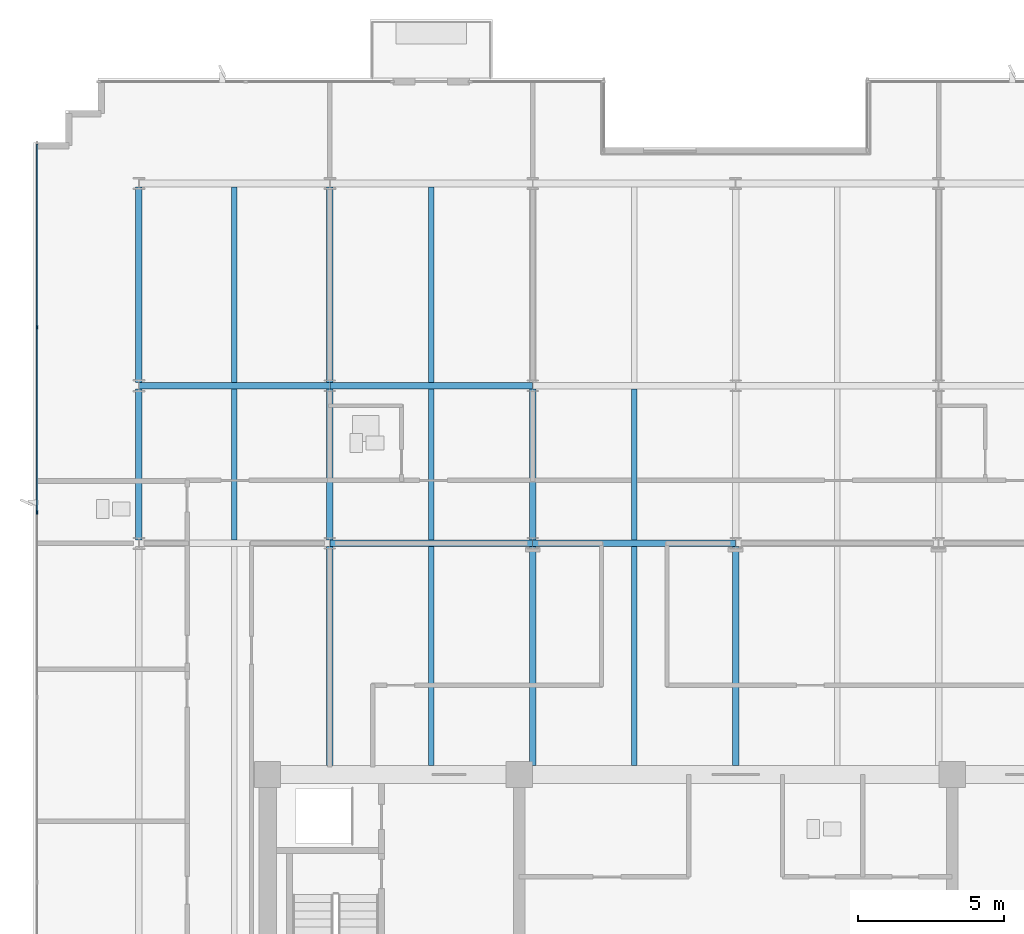
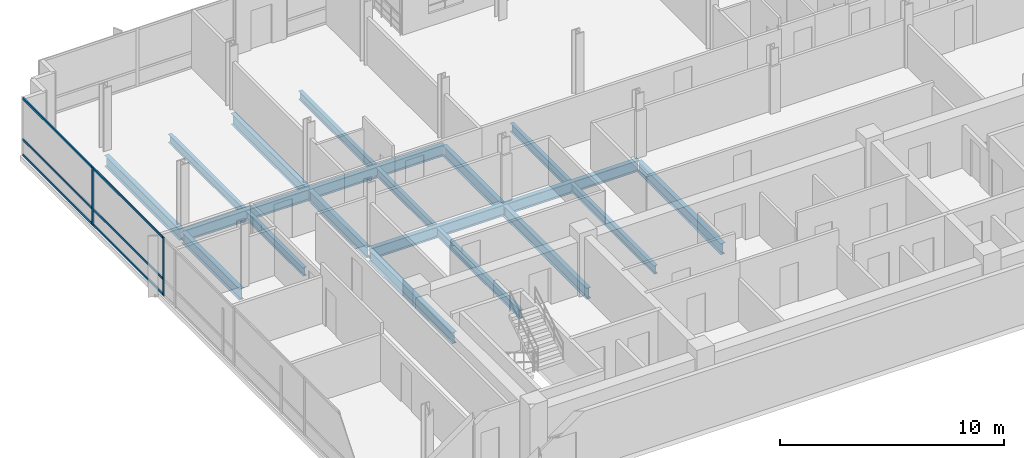
# One storey, part 4 of 17: 19 beams, 8 members, 1 element without a shape of its own.
"""IFC4 building model written with IfcOpenShell, lengths in metres."""

from ifc_helpers import new_model, si_unit, direction, frame, origin, origin_2d, place, context, subcontext, project, spatial, rectangle, i_section, extrude, material, material_profile, profile_set, type_object, element, aggregate, save


model = new_model("IFC4")

# Units and contexts
model_context = context("Model", 3, precision=1e-05, world=origin(), true_north=direction((0.0, 1.0)))
body_context = subcontext(model_context, "Body", "Model", "MODEL_VIEW")
ifc_project = project(units=[si_unit("LENGTHUNIT", "METRE"), si_unit("AREAUNIT", "SQUARE_METRE"), si_unit("VOLUMEUNIT", "CUBIC_METRE"), si_unit("PLANEANGLEUNIT", "RADIAN"), si_unit("MASSUNIT", "GRAM", prefix="KILO")], contexts=[model_context])

# Site, building, storey
site_placement = place(None, origin())
site = spatial("IfcSite", under=ifc_project, at=site_placement, CompositionType="ELEMENT")
building_placement = place(site_placement, origin())
building = spatial("IfcBuilding", under=site, at=building_placement, Name="Solmavex Isthmus Hotel", CompositionType="ELEMENT")
storey_placement = place(building_placement, frame((0.0, 0.0, 269.550048828125)))
storey = spatial("IfcBuildingStorey", under=building, at=storey_placement, Name="L73", CompositionType="ELEMENT", Elevation=269.550048828125)

# Beams
ifc_material_1 = material(Name="Steel ASTM A992 Grade 50", Category="steel")
ifc_material_profile_1 = material_profile(ifc_material_1, i_section(OverallWidth=0.1904296875, OverallDepth=0.456787109375, WebThickness=0.009033203125, FlangeThickness=0.014404296875, FilletRadius=0.0126953125, at=origin_2d()), Name="W18X50")
ifc_profile_set_1 = profile_set([ifc_material_profile_1], Name="Steel ASTM A992 Grade 50")
beam_type_1 = type_object("IfcBeamType", Name="BM-BJ-W18X50", PredefinedType="JOIST", material=ifc_profile_set_1)
beam_1_placement = place(storey_placement, frame((-17.135986328125, 5.513916015625, -0.488525390625), z_axis=(0.0, 1.0, 0.0), x_axis=(-1.0, 0.0, 0.0)))
element("IfcBeam", 1, at=beam_1_placement, inside=storey, type_object=beam_type_1, Name="Secondary Floor Joist L73-J02", PredefinedType="JOIST", context=body_context, shape_type="SweptSolid", body=[
    extrude(i_section(OverallWidth=0.1904296875, OverallDepth=0.456787109375, WebThickness=0.009033203125, FlangeThickness=0.014404296875, FilletRadius=0.0126953125, at=origin_2d()), origin(), (0.0, 0.0, 1.0), 5.16015625),
])
beam_2_placement = place(storey_placement, frame((-17.135986328125, 10.90185546875, -0.488525390625), z_axis=(0.0, 1.0, 0.0), x_axis=(-1.0, 0.0, 0.0)))
element("IfcBeam", 2, at=beam_2_placement, inside=storey, type_object=beam_type_1, Name="Secondary Floor Joist L73-J03", PredefinedType="JOIST", context=body_context, shape_type="SweptSolid", body=[
    extrude(i_section(OverallWidth=0.1904296875, OverallDepth=0.456787109375, WebThickness=0.009033203125, FlangeThickness=0.014404296875, FilletRadius=0.0126953125, at=origin_2d()), origin(), (0.0, 0.0, 1.0), 6.682861328125),
])
beam_3_placement = place(storey_placement, frame((-10.404052734375, -2.199951171875, -0.488525390625), z_axis=(0.0, 1.0, 0.0), x_axis=(-1.0, 0.0, 0.0)))
element("IfcBeam", 3, at=beam_3_placement, inside=storey, type_object=beam_type_1, Name="Secondary Floor Joist L73-J04", PredefinedType="JOIST", context=body_context, shape_type="SweptSolid", body=[
    extrude(i_section(OverallWidth=0.1904296875, OverallDepth=0.456787109375, WebThickness=0.009033203125, FlangeThickness=0.014404296875, FilletRadius=0.0126953125, at=origin_2d()), origin(), (0.0, 0.0, 1.0), 7.486083984375),
])
beam_4_placement = place(storey_placement, frame((-10.404052734375, 5.513916015625, -0.488525390625), z_axis=(0.0, 1.0, 0.0), x_axis=(-1.0, 0.0, 0.0)))
element("IfcBeam", 4, at=beam_4_placement, inside=storey, type_object=beam_type_1, Name="Secondary Floor Joist L73-J05", PredefinedType="JOIST", context=body_context, shape_type="SweptSolid", body=[
    extrude(i_section(OverallWidth=0.1904296875, OverallDepth=0.456787109375, WebThickness=0.009033203125, FlangeThickness=0.014404296875, FilletRadius=0.0126953125, at=origin_2d()), origin(), (0.0, 0.0, 1.0), 5.16015625),
])
beam_5_placement = place(storey_placement, frame((-10.404052734375, 10.90185546875, -0.488525390625), z_axis=(0.0, 1.0, 0.0), x_axis=(-1.0, 0.0, 0.0)))
element("IfcBeam", 5, at=beam_5_placement, inside=storey, type_object=beam_type_1, Name="Secondary Floor Joist L73-J06", PredefinedType="JOIST", context=body_context, shape_type="SweptSolid", body=[
    extrude(i_section(OverallWidth=0.1904296875, OverallDepth=0.456787109375, WebThickness=0.009033203125, FlangeThickness=0.014404296875, FilletRadius=0.0126953125, at=origin_2d()), origin(), (0.0, 0.0, 1.0), 6.682861328125),
])
beam_6_placement = place(storey_placement, frame((-3.468017578125, -2.199951171875, -0.488525390625), z_axis=(0.0, 1.0, 0.0), x_axis=(-1.0, 0.0, 0.0)))
element("IfcBeam", 6, at=beam_6_placement, inside=storey, type_object=beam_type_1, Name="Secondary Floor Joist L73-J07", PredefinedType="JOIST", context=body_context, shape_type="SweptSolid", body=[
    extrude(i_section(OverallWidth=0.1904296875, OverallDepth=0.456787109375, WebThickness=0.009033203125, FlangeThickness=0.014404296875, FilletRadius=0.0126953125, at=origin_2d()), origin(), (0.0, 0.0, 1.0), 7.486083984375),
])
beam_7_placement = place(storey_placement, frame((-3.468017578125, 5.513916015625, -0.488525390625), z_axis=(0.0, 1.0, 0.0), x_axis=(-1.0, 0.0, 0.0)))
element("IfcBeam", 7, at=beam_7_placement, inside=storey, type_object=beam_type_1, Name="Secondary Floor Joist L73-J08", PredefinedType="JOIST", context=body_context, shape_type="SweptSolid", body=[
    extrude(i_section(OverallWidth=0.1904296875, OverallDepth=0.456787109375, WebThickness=0.009033203125, FlangeThickness=0.014404296875, FilletRadius=0.0126953125, at=origin_2d()), origin(), (0.0, 0.0, 1.0), 5.16015625),
])
ifc_material_profile_2 = material_profile(ifc_material_1, i_section(OverallWidth=0.227783203125, OverallDepth=0.602783203125, WebThickness=0.010498046875, FlangeThickness=0.014892578125, FilletRadius=0.01513671875, at=origin_2d()), Name="W24X68")
ifc_profile_set_2 = profile_set([ifc_material_profile_2], Name="Steel ASTM A992 Grade 50")
beam_type_2 = type_object("IfcBeamType", Name="BM-BM-W24X68", PredefinedType="BEAM", material=ifc_profile_set_2)
for number, where, z_axis, x_axis, name in (
    (8, (-13.8720703125, 5.39990234375, -0.561279296875), (1.0, 0.0, 0.0), (0.0, 1.0, 0.0), "Floor Girder L73-UG04"),
    (9, (-6.93603515625, 5.39990234375, -0.561279296875), (1.0, 0.0, 0.0), (0.0, 1.0, 0.0), "Floor Girder L73-UG05"),
):
    element("IfcBeam", number, at=place(storey_placement, frame(where, z_axis=z_axis, x_axis=x_axis)), inside=storey, type_object=beam_type_2, Name=name, PredefinedType="BEAM", context=body_context, shape_type="SweptSolid", body=[
        extrude(i_section(OverallWidth=0.227783203125, OverallDepth=0.602783203125, WebThickness=0.010498046875, FlangeThickness=0.014892578125, FilletRadius=0.01513671875, at=origin_2d()), origin(), (0.0, 0.0, 1.0), 6.93603515625),
    ])
beam_8_placement = place(storey_placement, frame((-20.39990234375, 10.7880859375, -0.561279296875), z_axis=(1.0, 0.0, 0.0), x_axis=(0.0, 1.0, 0.0)))
element("IfcBeam", 10, at=beam_8_placement, inside=storey, type_object=beam_type_2, Name="Floor Girder L73-UG09", PredefinedType="BEAM", context=body_context, shape_type="SweptSolid", body=[
    extrude(i_section(OverallWidth=0.227783203125, OverallDepth=0.602783203125, WebThickness=0.010498046875, FlangeThickness=0.014892578125, FilletRadius=0.01513671875, at=origin_2d()), origin(), (0.0, 0.0, 1.0), 6.52783203125),
])
beam_9_placement = place(storey_placement, frame((-13.8720703125, 10.7880859375, -0.561279296875), z_axis=(1.0, 0.0, 0.0), x_axis=(0.0, 1.0, 0.0)))
element("IfcBeam", 11, at=beam_9_placement, inside=storey, type_object=beam_type_2, Name="Floor Girder L73-UG10", PredefinedType="BEAM", context=body_context, shape_type="SweptSolid", body=[
    extrude(i_section(OverallWidth=0.227783203125, OverallDepth=0.602783203125, WebThickness=0.010498046875, FlangeThickness=0.014892578125, FilletRadius=0.01513671875, at=origin_2d()), origin(), (0.0, 0.0, 1.0), 6.93603515625),
])
beam_10_placement = place(storey_placement, frame((-13.8720703125, -2.199951171875, -0.561279296875), z_axis=(0.0, 1.0, 0.0), x_axis=(-1.0, 0.0, 0.0)))
element("IfcBeam", 12, at=beam_10_placement, inside=storey, type_object=beam_type_2, Name="Floor Beam L73-VG24", PredefinedType="BEAM", context=body_context, shape_type="SweptSolid", body=[
    extrude(i_section(OverallWidth=0.227783203125, OverallDepth=0.602783203125, WebThickness=0.010498046875, FlangeThickness=0.014892578125, FilletRadius=0.01513671875, at=origin_2d()), origin(), (0.0, 0.0, 1.0), 7.486083984375),
])
beam_11_placement = place(storey_placement, frame((-13.8720703125, 5.513916015625, -0.561279296875), z_axis=(0.0, 1.0, 0.0), x_axis=(-1.0, 0.0, 0.0)))
element("IfcBeam", 13, at=beam_11_placement, inside=storey, type_object=beam_type_2, Name="Floor Beam L73-VG25", PredefinedType="BEAM", context=body_context, shape_type="SweptSolid", body=[
    extrude(i_section(OverallWidth=0.227783203125, OverallDepth=0.602783203125, WebThickness=0.010498046875, FlangeThickness=0.014892578125, FilletRadius=0.01513671875, at=origin_2d()), origin(), (0.0, 0.0, 1.0), 5.16015625),
])
beam_12_placement = place(storey_placement, frame((-13.8720703125, 10.90185546875, -0.561279296875), z_axis=(0.0, 1.0, 0.0), x_axis=(-1.0, 0.0, 0.0)))
element("IfcBeam", 14, at=beam_12_placement, inside=storey, type_object=beam_type_2, Name="Floor Beam L73-VG26", PredefinedType="BEAM", context=body_context, shape_type="SweptSolid", body=[
    extrude(i_section(OverallWidth=0.227783203125, OverallDepth=0.602783203125, WebThickness=0.010498046875, FlangeThickness=0.014892578125, FilletRadius=0.01513671875, at=origin_2d()), origin(), (0.0, 0.0, 1.0), 6.682861328125),
])
beam_13_placement = place(storey_placement, frame((-6.93603515625, -2.199951171875, -0.561279296875), z_axis=(0.0, 1.0, 0.0), x_axis=(-1.0, 0.0, 0.0)))
element("IfcBeam", 15, at=beam_13_placement, inside=storey, type_object=beam_type_2, Name="Floor Beam L73-VG27", PredefinedType="BEAM", context=body_context, shape_type="SweptSolid", body=[
    extrude(i_section(OverallWidth=0.227783203125, OverallDepth=0.602783203125, WebThickness=0.010498046875, FlangeThickness=0.014892578125, FilletRadius=0.01513671875, at=origin_2d()), origin(), (0.0, 0.0, 1.0), 7.486083984375),
])
beam_14_placement = place(storey_placement, frame((-6.93603515625, 5.513916015625, -0.561279296875), z_axis=(0.0, 1.0, 0.0), x_axis=(-1.0, 0.0, 0.0)))
element("IfcBeam", 16, at=beam_14_placement, inside=storey, type_object=beam_type_2, Name="Floor Beam L73-VG28", PredefinedType="BEAM", context=body_context, shape_type="SweptSolid", body=[
    extrude(i_section(OverallWidth=0.227783203125, OverallDepth=0.602783203125, WebThickness=0.010498046875, FlangeThickness=0.014892578125, FilletRadius=0.01513671875, at=origin_2d()), origin(), (0.0, 0.0, 1.0), 5.16015625),
])
beam_15_placement = place(storey_placement, frame((0.0, -2.199951171875, -0.561279296875), z_axis=(0.0, 1.0, 0.0), x_axis=(-1.0, 0.0, 0.0)))
element("IfcBeam", 17, at=beam_15_placement, inside=storey, type_object=beam_type_2, Name="Floor Beam L73-VG30", PredefinedType="BEAM", context=body_context, shape_type="SweptSolid", body=[
    extrude(i_section(OverallWidth=0.227783203125, OverallDepth=0.602783203125, WebThickness=0.010498046875, FlangeThickness=0.014892578125, FilletRadius=0.01513671875, at=origin_2d()), origin(), (0.0, 0.0, 1.0), 7.486083984375),
])
ifc_material_profile_3 = material_profile(ifc_material_1, i_section(OverallWidth=0.230224609375, OverallDepth=0.617431640625, WebThickness=0.01318359375, FlangeThickness=0.022216796875, FilletRadius=0.01513671875, at=origin_2d()), Name="W24X94")
ifc_profile_set_3 = profile_set([ifc_material_profile_3], Name="Steel ASTM A992 Grade 50")
beam_type_3 = type_object("IfcBeamType", Name="BM-SP-W24X94", PredefinedType="SPANDREL", material=ifc_profile_set_3)
beam_16_placement = place(storey_placement, frame((-20.39990234375, 5.513916015625, -0.56884765625), z_axis=(0.0, 1.0, 0.0), x_axis=(-1.0, 0.0, 0.0)))
element("IfcBeam", 18, at=beam_16_placement, inside=storey, type_object=beam_type_3, Name="Floor Beam L73-VG22", PredefinedType="SPANDREL", context=body_context, shape_type="SweptSolid", body=[
    extrude(i_section(OverallWidth=0.230224609375, OverallDepth=0.617431640625, WebThickness=0.01318359375, FlangeThickness=0.022216796875, FilletRadius=0.01513671875, at=origin_2d()), origin(), (0.0, 0.0, 1.0), 5.16015625),
])
beam_17_placement = place(storey_placement, frame((-20.39990234375, 10.90185546875, -0.56884765625), z_axis=(0.0, 1.0, 0.0), x_axis=(-1.0, 0.0, 0.0)))
element("IfcBeam", 19, at=beam_17_placement, inside=storey, type_object=beam_type_3, Name="Floor Beam L73-VG23", PredefinedType="SPANDREL", context=body_context, shape_type="SweptSolid", body=[
    extrude(i_section(OverallWidth=0.230224609375, OverallDepth=0.617431640625, WebThickness=0.01318359375, FlangeThickness=0.022216796875, FilletRadius=0.01513671875, at=origin_2d()), origin(), (0.0, 0.0, 1.0), 6.682861328125),
])

# Curtain wall, members
ifc_material_2 = material(Name="Aluminium alloy 6063-T6", Category="aluminium")
curtain_wall_type = type_object("IfcCurtainWallType", Name="CW-SYS-06", PredefinedType="NOTDEFINED", material=ifc_material_2)
curtain_wall_placement = place(storey_placement, origin())
curtain_wall = element("IfcCurtainWall", 20, at=curtain_wall_placement, inside=storey, type_object=curtain_wall_type, Name="Stick Curtain Wall CWL-L73-W1", PredefinedType="NOTDEFINED")
ifc_material_profile_4 = material_profile(ifc_material_2, rectangle(XDim=0.06005859375, YDim=0.139892578125, at=origin_2d()), Name="CWM-60X140")
ifc_profile_set_4 = profile_set([ifc_material_profile_4], Name="Aluminium alloy 6063-T6")
member_type_1 = type_object("IfcMemberType", Name="CW-SYS-06-MUL", PredefinedType="MULLION", material=ifc_profile_set_4)
member_1_placement = place(storey_placement, frame((-23.8798828125, 6.4599609375, 0.0), z_axis=(0.0, 0.0, 1.0), x_axis=(-1.0, 0.0, 0.0)))
member_1 = element("IfcMember", 21, at=member_1_placement, type_object=member_type_1, Name="CW-06 mullion 4", PredefinedType="MULLION", context=body_context, shape_type="SweptSolid", body=[
    extrude(rectangle(XDim=0.06005859375, YDim=0.139892578125, at=origin_2d()), origin(), (0.0, 0.0, 1.0), 3.18994140625),
])
member_2_placement = place(storey_placement, frame((-23.8798828125, 12.780029296875, 0.0), z_axis=(0.0, 0.0, 1.0), x_axis=(-1.0, 0.0, 0.0)))
member_2 = element("IfcMember", 22, at=member_2_placement, type_object=member_type_1, Name="CW-06 mullion 5", PredefinedType="MULLION", context=body_context, shape_type="SweptSolid", body=[
    extrude(rectangle(XDim=0.06005859375, YDim=0.139892578125, at=origin_2d()), origin(), (0.0, 0.0, 1.0), 3.18994140625),
])
ifc_material_profile_5 = material_profile(ifc_material_2, rectangle(XDim=0.06005859375, YDim=0.114990234375, at=origin_2d()), Name="CWT-60X115")
ifc_profile_set_5 = profile_set([ifc_material_profile_5], Name="Aluminium alloy 6063-T6")
member_type_2 = type_object("IfcMemberType", Name="CW-SYS-06-TRN", PredefinedType="USERDEFINED", material=ifc_profile_set_5)
member_3_placement = place(storey_placement, frame((-23.8798828125, 6.489990234375, 0.057373046875), z_axis=(0.0, 1.0, 0.0), x_axis=(-1.0, 0.0, 0.0)))
member_3 = element("IfcMember", 23, at=member_3_placement, type_object=member_type_2, Name="CW-06 transom 4.1", ObjectType="TRANSOM", PredefinedType="USERDEFINED", context=body_context, shape_type="SweptSolid", body=[
    extrude(rectangle(XDim=0.06005859375, YDim=0.114990234375, at=origin_2d()), origin(), (0.0, 0.0, 1.0), 6.260009765625),
])
member_4_placement = place(storey_placement, frame((-23.8798828125, 6.489990234375, 0.89990234375), z_axis=(0.0, 1.0, 0.0), x_axis=(-1.0, 0.0, 0.0)))
member_4 = element("IfcMember", 24, at=member_4_placement, type_object=member_type_2, Name="CW-06 transom 4.2", ObjectType="TRANSOM", PredefinedType="USERDEFINED", context=body_context, shape_type="SweptSolid", body=[
    extrude(rectangle(XDim=0.06005859375, YDim=0.114990234375, at=origin_2d()), origin(), (0.0, 0.0, 1.0), 6.260009765625),
])
member_5_placement = place(storey_placement, frame((-23.8798828125, 6.489990234375, 3.132568359375), z_axis=(0.0, 1.0, 0.0), x_axis=(-1.0, 0.0, 0.0)))
member_5 = element("IfcMember", 25, at=member_5_placement, type_object=member_type_2, Name="CW-06 transom 4.3", ObjectType="TRANSOM", PredefinedType="USERDEFINED", context=body_context, shape_type="SweptSolid", body=[
    extrude(rectangle(XDim=0.06005859375, YDim=0.114990234375, at=origin_2d()), origin(), (0.0, 0.0, 1.0), 6.260009765625),
])
member_6_placement = place(storey_placement, frame((-23.8798828125, 12.81005859375, 0.057373046875), z_axis=(0.0, 1.0, 0.0), x_axis=(-1.0, 0.0, 0.0)))
member_6 = element("IfcMember", 26, at=member_6_placement, type_object=member_type_2, Name="CW-06 transom 5.1", ObjectType="TRANSOM", PredefinedType="USERDEFINED", context=body_context, shape_type="SweptSolid", body=[
    extrude(rectangle(XDim=0.06005859375, YDim=0.114990234375, at=origin_2d()), origin(), (0.0, 0.0, 1.0), 6.22998046875),
])
member_7_placement = place(storey_placement, frame((-23.8798828125, 12.81005859375, 0.89990234375), z_axis=(0.0, 1.0, 0.0), x_axis=(-1.0, 0.0, 0.0)))
member_7 = element("IfcMember", 27, at=member_7_placement, type_object=member_type_2, Name="CW-06 transom 5.2", ObjectType="TRANSOM", PredefinedType="USERDEFINED", context=body_context, shape_type="SweptSolid", body=[
    extrude(rectangle(XDim=0.06005859375, YDim=0.114990234375, at=origin_2d()), origin(), (0.0, 0.0, 1.0), 6.22998046875),
])
member_8_placement = place(storey_placement, frame((-23.8798828125, 12.81005859375, 3.132568359375), z_axis=(0.0, 1.0, 0.0), x_axis=(-1.0, 0.0, 0.0)))
member_8 = element("IfcMember", 28, at=member_8_placement, type_object=member_type_2, Name="CW-06 transom 5.3", ObjectType="TRANSOM", PredefinedType="USERDEFINED", context=body_context, shape_type="SweptSolid", body=[
    extrude(rectangle(XDim=0.06005859375, YDim=0.114990234375, at=origin_2d()), origin(), (0.0, 0.0, 1.0), 6.22998046875),
])
aggregate(curtain_wall, [member_1, member_2, member_3, member_4, member_5, member_6, member_7, member_8])

save(model, "model.ifc")
